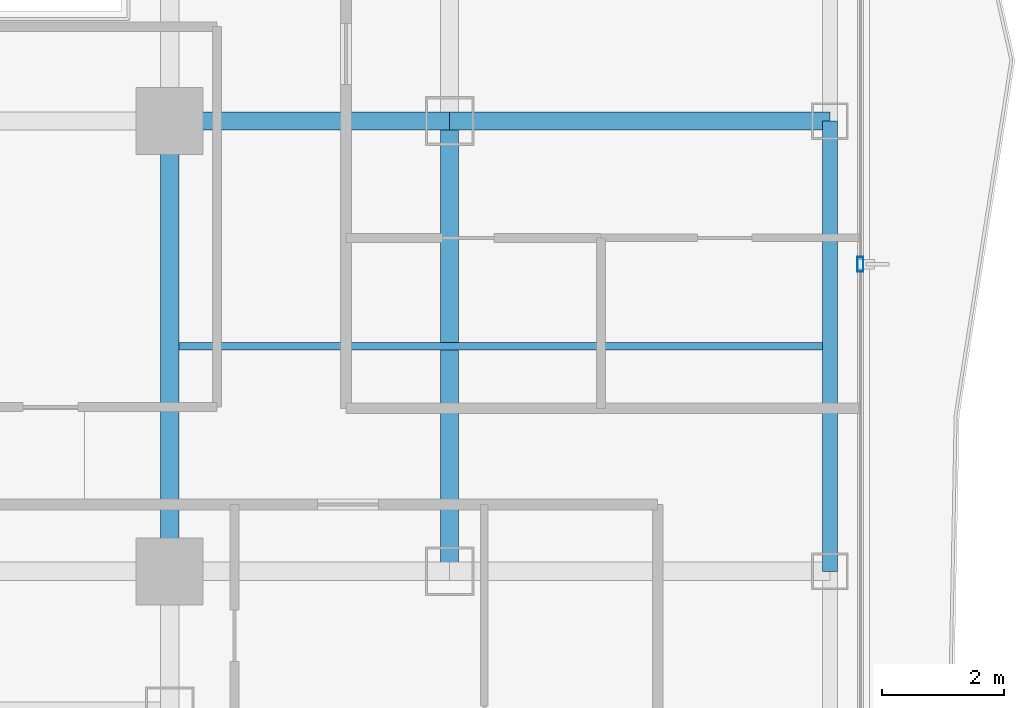
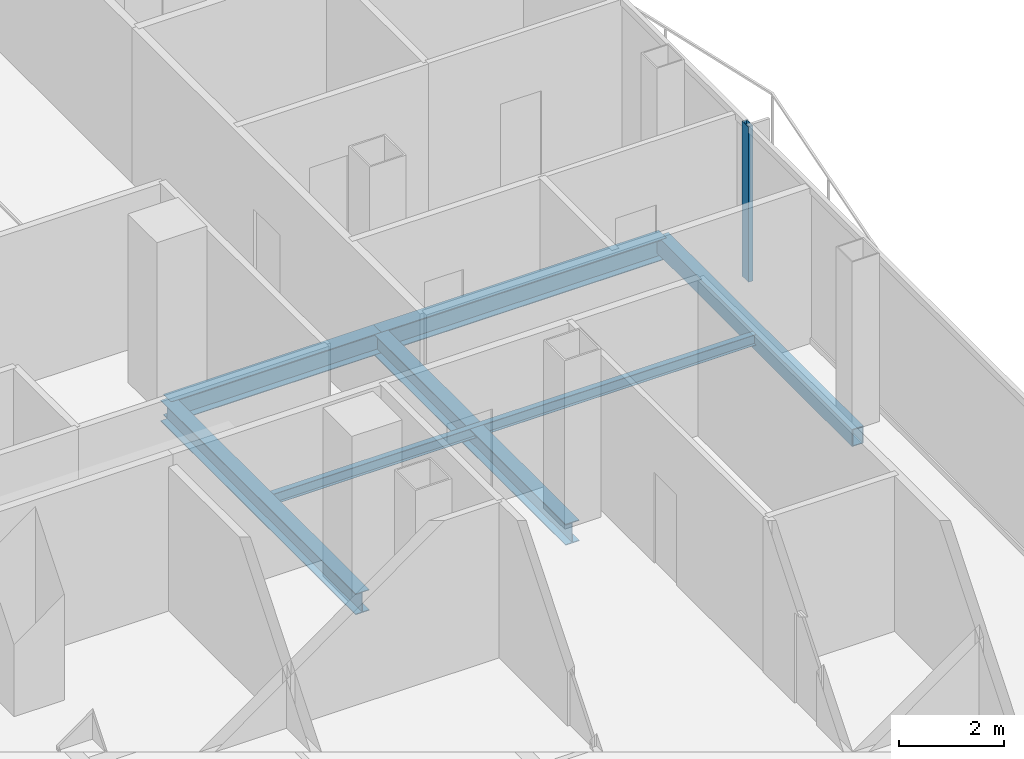
# One storey, part 11 of 27: 6 beams, 1 member, 1 element without a shape of its own.
"""IFC4 building model written with IfcOpenShell, lengths in metres."""

from ifc_helpers import new_model, si_unit, direction, frame, origin, origin_2d, place, context, subcontext, project, spatial, hollow_rectangle, i_section, extrude, material, layer, layer_set, material_profile, profile_set, type_object, element, aggregate, save


model = new_model("IFC4")

# Units and contexts
model_context = context("Model", 3, precision=1e-05, world=origin(), true_north=direction((0.0, 1.0)))
body_context = subcontext(model_context, "Body", "Model", "MODEL_VIEW")
ifc_project = project(units=[si_unit("LENGTHUNIT", "METRE"), si_unit("AREAUNIT", "SQUARE_METRE"), si_unit("VOLUMEUNIT", "CUBIC_METRE"), si_unit("PLANEANGLEUNIT", "RADIAN"), si_unit("MASSUNIT", "GRAM", prefix="KILO")], contexts=[model_context])

# Site, building, storey
site_placement = place(None, origin())
site = spatial("IfcSite", under=ifc_project, at=site_placement, CompositionType="ELEMENT")
building_placement = place(site_placement, origin())
building = spatial("IfcBuilding", under=site, at=building_placement, Name="Khorvyn Point Tower", CompositionType="ELEMENT")
storey_placement = place(building_placement, frame((0.0, 0.0, 231.300048828125)))
storey = spatial("IfcBuildingStorey", under=building, at=storey_placement, Name="L57", CompositionType="ELEMENT", Elevation=231.300048828125)

# Curtain wall, member
ifc_material_1 = material(Name="Anodised aluminium 6063-T6 and laminated Low-E glass", Category="aluminium")
ifc_layer = layer(ifc_material_1, 0.18994140625)
ifc_layer_set = layer_set([ifc_layer], Name="Stick-Built Acoustic Curtain Wall CW-SYS-03")
curtain_wall_type = type_object("IfcCurtainWallType", Name="Stick-Built Acoustic Curtain Wall CW-SYS-03", PredefinedType="NOTDEFINED", material=ifc_layer_set)
curtain_wall_placement = place(storey_placement, origin())
curtain_wall = element("IfcCurtainWall", 1, at=curtain_wall_placement, inside=storey, type_object=curtain_wall_type, Name="Curtain Wall", PredefinedType="NOTDEFINED")
ifc_material_2 = material(Name="Anodised aluminium 6063-T6", Category="aluminium")
ifc_material_profile_1 = material_profile(ifc_material_2, hollow_rectangle(XDim=0.10009765625, YDim=0.239990234375, WallThickness=0.0048828125, at=origin_2d()))
ifc_profile_set_1 = profile_set([ifc_material_profile_1], Name="Anodised aluminium 6063-T6 ALU-MUL-100x240")
member_type = type_object("IfcMemberType", Name="Anodised Aluminium 6063-T6 Mullion ALU-MUL-100x240", PredefinedType="MULLION", material=ifc_profile_set_1)
member_placement = place(storey_placement, frame((26.14990234375, -9.75390625, 0.0), z_axis=(0.0, 0.0, 1.0), x_axis=(1.0, 0.0, 0.0)))
member = element("IfcMember", 2, at=member_placement, type_object=member_type, Name="Transom", PredefinedType="MULLION", context=body_context, shape_type="SweptSolid", body=[
    extrude(hollow_rectangle(XDim=0.10009765625, YDim=0.239990234375, WallThickness=0.0048828125, at=origin_2d()), origin(), (0.0, 0.0, 1.0), 3.599853515625),
])
aggregate(curtain_wall, [member])

# Beams
ifc_material_3 = material(Name="Steel S355", Category="steel")
ifc_material_profile_2 = material_profile(ifc_material_3, i_section(OverallWidth=0.125, OverallDepth=0.25, WebThickness=0.006103515625, FlangeThickness=0.009033203125, at=origin_2d()))
ifc_profile_set_2 = profile_set([ifc_material_profile_2], Name="Steel S355 H250x125x6x9")
beam_type_1 = type_object("IfcBeamType", Name="Steel S355 Joist H250x125x6x9", PredefinedType="JOIST", material=ifc_profile_set_2)
beam_1_placement = place(storey_placement, frame((14.949951171875, -11.10009765625, -0.344970703125), z_axis=(1.0, 0.0, 0.0), x_axis=(0.0, 1.0, 0.0)))
element("IfcBeam", 3, at=beam_1_placement, inside=storey, type_object=beam_type_1, Name="Beam", PredefinedType="JOIST", context=body_context, shape_type="SweptSolid", body=[
    extrude(i_section(OverallWidth=0.125, OverallDepth=0.25, WebThickness=0.006103515625, FlangeThickness=0.009033203125, at=origin_2d()), origin(), (0.0, 0.0, 1.0), 10.574951171875),
])
ifc_material_profile_3 = material_profile(ifc_material_3, i_section(OverallWidth=0.300048828125, OverallDepth=0.488037109375, WebThickness=0.010986328125, FlangeThickness=0.01806640625, at=origin_2d()))
ifc_profile_set_3 = profile_set([ifc_material_profile_3], Name="Steel S355 H488x300x11x18")
beam_type_2 = type_object("IfcBeamType", Name="Steel S355 Spandrel H488x300x11x18", PredefinedType="SPANDREL", material=ifc_profile_set_3)
beam_2_placement = place(storey_placement, frame((14.800048828125, -7.39990234375, -0.464111328125), z_axis=(1.0, 0.0, 0.0), x_axis=(0.0, 1.0, 0.0)))
element("IfcBeam", 4, at=beam_2_placement, inside=storey, type_object=beam_type_2, Name="Beam", PredefinedType="SPANDREL", context=body_context, shape_type="SweptSolid", body=[
    extrude(i_section(OverallWidth=0.300048828125, OverallDepth=0.488037109375, WebThickness=0.010986328125, FlangeThickness=0.01806640625, at=origin_2d()), origin(), (0.0, 0.0, 1.0), 4.599853515625),
])
beam_3_placement = place(storey_placement, frame((19.39990234375, -7.39990234375, -0.464111328125), z_axis=(1.0, 0.0, 0.0), x_axis=(0.0, 1.0, 0.0)))
element("IfcBeam", 5, at=beam_3_placement, inside=storey, type_object=beam_type_2, Name="Beam", PredefinedType="SPANDREL", context=body_context, shape_type="SweptSolid", body=[
    extrude(i_section(OverallWidth=0.300048828125, OverallDepth=0.488037109375, WebThickness=0.010986328125, FlangeThickness=0.01806640625, at=origin_2d()), origin(), (0.0, 0.0, 1.0), 6.25),
])
for number, where, z_axis, x_axis, name in (
    (6, (14.800048828125, -14.800048828125, -0.464111328125), (0.0, 1.0, 0.0), (-1.0, 0.0, 0.0), "Beam"),
    (7, (19.39990234375, -14.800048828125, -0.464111328125), (0.0, 1.0, 0.0), (-1.0, 0.0, 0.0), "Beam"),
):
    element("IfcBeam", number, at=place(storey_placement, frame(where, z_axis=z_axis, x_axis=x_axis)), inside=storey, type_object=beam_type_2, Name=name, PredefinedType="SPANDREL", context=body_context, shape_type="SweptSolid", body=[
        extrude(i_section(OverallWidth=0.300048828125, OverallDepth=0.488037109375, WebThickness=0.010986328125, FlangeThickness=0.01806640625, at=origin_2d()), origin(), (0.0, 0.0, 1.0), 7.400146484375),
    ])
ifc_material_profile_4 = material_profile(ifc_material_3, hollow_rectangle(XDim=0.25, YDim=0.39990234375, WallThickness=0.01611328125, at=origin_2d()))
ifc_profile_set_4 = profile_set([ifc_material_profile_4], Name="Steel S355 RHS400x250x16")
beam_type_3 = type_object("IfcBeamType", Name="Steel S355 Spandrel RHS400x250x16", PredefinedType="SPANDREL", material=ifc_profile_set_4)
beam_4_placement = place(storey_placement, frame((25.64990234375, -14.800048828125, -0.420166015625), z_axis=(0.0, 1.0, 0.0), x_axis=(-1.0, 0.0, 0.0)))
element("IfcBeam", 8, at=beam_4_placement, inside=storey, type_object=beam_type_3, Name="Beam", PredefinedType="SPANDREL", context=body_context, shape_type="SweptSolid", body=[
    extrude(hollow_rectangle(XDim=0.25, YDim=0.39990234375, WallThickness=0.01611328125, at=origin_2d()), origin(), (0.0, 0.0, 1.0), 7.400146484375),
])

save(model, "model.ifc")
